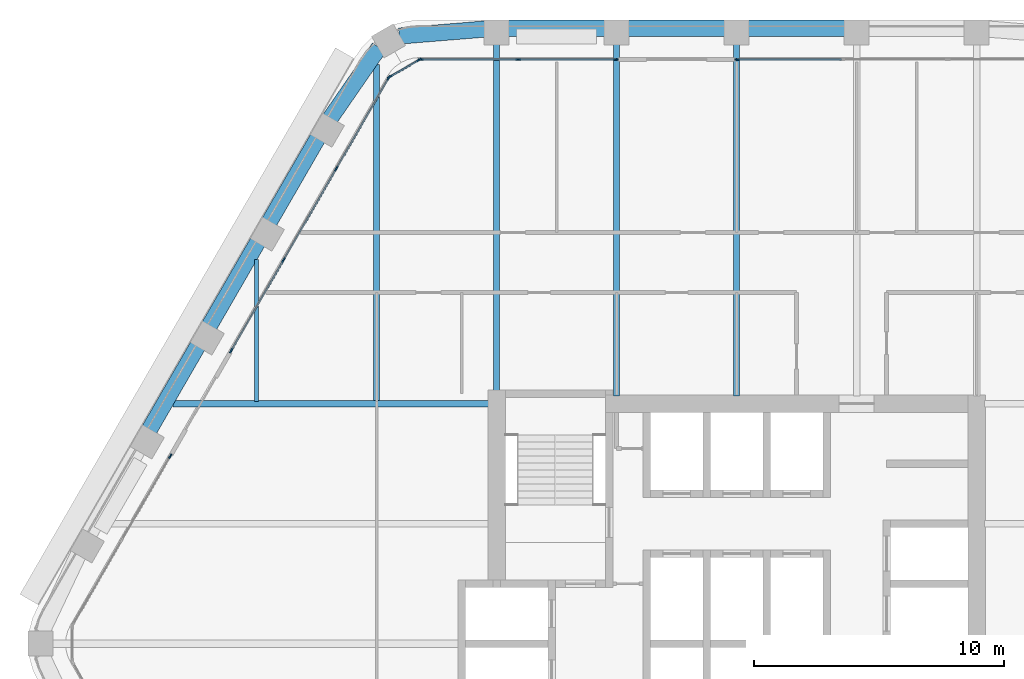
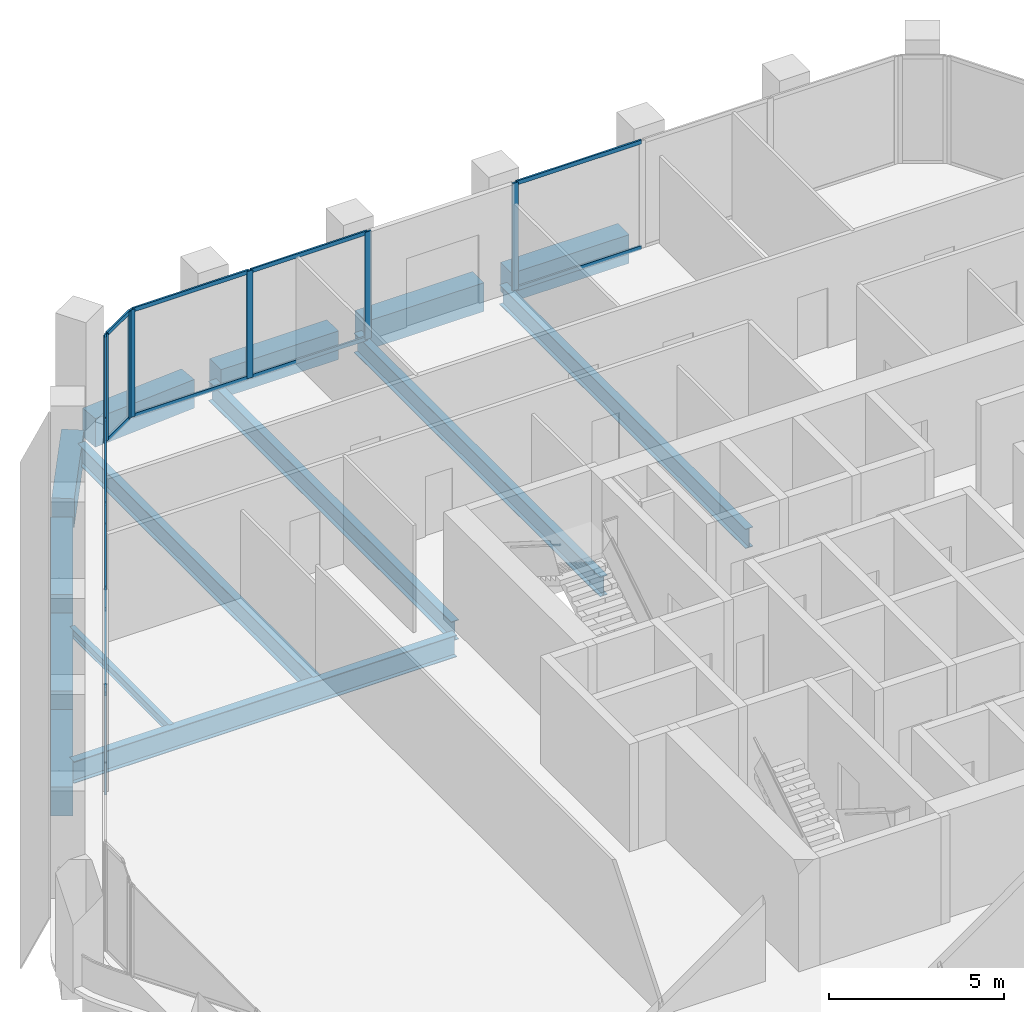
# One storey, part 5 of 15: 25 members, 14 beams, 5 elements without a shape of their own.
"""IFC4 building model written with IfcOpenShell, lengths in metres."""

from ifc_helpers import new_model, si_unit, direction, frame, origin, origin_2d, place, context, subcontext, project, spatial, rectangle, i_section, extrude, material, material_profile, profile_set, type_object, element, aggregate, save


model = new_model("IFC4")

# Units and contexts
model_context = context("Model", 3, precision=1e-05, world=origin(), true_north=direction((0.0, 1.0)))
body_context = subcontext(model_context, "Body", "Model", "MODEL_VIEW")
ifc_project = project(units=[si_unit("LENGTHUNIT", "METRE"), si_unit("AREAUNIT", "SQUARE_METRE"), si_unit("VOLUMEUNIT", "CUBIC_METRE"), si_unit("PLANEANGLEUNIT", "RADIAN"), si_unit("MASSUNIT", "GRAM", prefix="KILO")], contexts=[model_context])

# Site, building, storey
site_placement = place(None, origin())
site = spatial("IfcSite", under=ifc_project, at=site_placement, CompositionType="ELEMENT")
building_placement = place(site_placement, origin())
building = spatial("IfcBuilding", under=site, at=building_placement, Name="Kolab Exchange Tower", CompositionType="ELEMENT")
storey_placement = place(building_placement, frame((0.0, 0.0, 158.300048828125)))
storey = spatial("IfcBuildingStorey", under=building, at=storey_placement, Name="L32", CompositionType="ELEMENT", Elevation=158.300048828125)

# Beams
ifc_material_1 = material(Name="Steel S355", Category="steel")
ifc_material_profile_1 = material_profile(ifc_material_1, i_section(OverallWidth=0.1650390625, OverallDepth=0.31005859375, WebThickness=0.005859375, FlangeThickness=0.009765625, at=origin_2d()), Name="W310X39")
ifc_profile_set_1 = profile_set([ifc_material_profile_1], Name="Steel S355")
beam_type_1 = type_object("IfcBeamType", Name="FLOOR BEAM W310X39", PredefinedType="BEAM", material=ifc_profile_set_1)
beam_1_placement = place(storey_placement, frame((-19.199951171875, 9.693603515625, -0.304931640625), z_axis=(0.0, 1.0, 0.0), x_axis=(-1.0, 0.0, 0.0)))
element("IfcBeam", 1, at=beam_1_placement, inside=storey, type_object=beam_type_1, Name="beam/L32/fr/004", PredefinedType="BEAM", context=body_context, shape_type="SweptSolid", body=[
    extrude(i_section(OverallWidth=0.1650390625, OverallDepth=0.31005859375, WebThickness=0.005859375, FlangeThickness=0.009765625, at=origin_2d()), origin(), (0.0, 0.0, 1.0), 5.674072265625),
])
ifc_material_profile_2 = material_profile(ifc_material_1, i_section(OverallWidth=0.25390625, OverallDepth=0.68408203125, WebThickness=0.012451171875, FlangeThickness=0.018798828125, at=origin_2d()), Name="W690X140")
ifc_profile_set_2 = profile_set([ifc_material_profile_2], Name="Steel S355")
beam_type_2 = type_object("IfcBeamType", Name="FLOOR BEAM W690X140", PredefinedType="BEAM", material=ifc_profile_set_2)
beam_2_placement = place(storey_placement, frame((-14.39990234375, 9.693603515625, -0.491943359375), z_axis=(0.0, 1.0, 0.0), x_axis=(-1.0, 0.0, 0.0)))
element("IfcBeam", 2, at=beam_2_placement, inside=storey, type_object=beam_type_2, Name="beam/L32/fr/006", PredefinedType="BEAM", context=body_context, shape_type="SweptSolid", body=[
    extrude(i_section(OverallWidth=0.25390625, OverallDepth=0.68408203125, WebThickness=0.012451171875, FlangeThickness=0.018798828125, at=origin_2d()), origin(), (0.0, 0.0, 1.0), 13.462158203125),
])
beam_3_placement = place(storey_placement, frame((-9.60009765625, 10.110107421875, -0.491943359375), z_axis=(0.0, 1.0, 0.0), x_axis=(-1.0, 0.0, 0.0)))
element("IfcBeam", 3, at=beam_3_placement, inside=storey, type_object=beam_type_2, Name="beam/L32/fr/008", PredefinedType="BEAM", context=body_context, shape_type="SweptSolid", body=[
    extrude(i_section(OverallWidth=0.25390625, OverallDepth=0.68408203125, WebThickness=0.012451171875, FlangeThickness=0.018798828125, at=origin_2d()), origin(), (0.0, 0.0, 1.0), 13.871337890625),
])
for number, where, z_axis, x_axis, name in (
    (4, (-4.800048828125, 9.909912109375, -0.491943359375), (0.0, 1.0, 0.0), (-1.0, 0.0, 0.0), "beam/L32/fr/010"),
    (5, (0.0, 9.909912109375, -0.491943359375), (0.0, 1.0, 0.0), (-1.0, 0.0, 0.0), "beam/L32/fr/012"),
):
    element("IfcBeam", number, at=place(storey_placement, frame(where, z_axis=z_axis, x_axis=x_axis)), inside=storey, type_object=beam_type_2, Name=name, PredefinedType="BEAM", context=body_context, shape_type="SweptSolid", body=[
        extrude(i_section(OverallWidth=0.25390625, OverallDepth=0.68408203125, WebThickness=0.012451171875, FlangeThickness=0.018798828125, at=origin_2d()), origin(), (0.0, 0.0, 1.0), 14.071533203125),
    ])
ifc_material_profile_3 = material_profile(ifc_material_1, i_section(OverallWidth=0.26708984375, OverallDepth=0.761962890625, WebThickness=0.014404296875, FlangeThickness=0.021484375, at=origin_2d()), Name="W760X173")
ifc_profile_set_3 = profile_set([ifc_material_profile_3], Name="Steel S355")
beam_type_3 = type_object("IfcBeamType", Name="FLOOR GIRDER W760X173", PredefinedType="BEAM", material=ifc_profile_set_3)
beam_4_placement = place(storey_placement, frame((-22.546875, 9.60009765625, -0.531005859375), z_axis=(1.0, 0.0, 0.0), x_axis=(0.0, 1.0, 0.0)))
element("IfcBeam", 6, at=beam_4_placement, inside=storey, type_object=beam_type_3, Name="beam/L32/gd/001", PredefinedType="BEAM", context=body_context, shape_type="SweptSolid", body=[
    extrude(i_section(OverallWidth=0.26708984375, OverallDepth=0.761962890625, WebThickness=0.014404296875, FlangeThickness=0.021484375, at=origin_2d()), origin(), (0.0, 0.0, 1.0), 12.636962890625),
])
ifc_material_2 = material(Name="Concrete C60/75", Category="concrete")
ifc_material_profile_4 = material_profile(ifc_material_2, rectangle(XDim=0.64990234375, YDim=1.0, at=origin_2d()), Name="RC650X1000")
ifc_profile_set_4 = profile_set([ifc_material_profile_4], Name="Concrete C60/75")
beam_type_4 = type_object("IfcBeamType", Name="SPANDREL BEAM 650X1000 C60/75", PredefinedType="BEAM", material=ifc_profile_set_4)
beam_5_placement = place(storey_placement, frame((-13.493896484375, 24.2998046875, -0.650146484375), z_axis=(0.996708497182, 0.081068931445, 0.0), x_axis=(-0.081068931445, 0.996708497182, 0.0)))
element("IfcBeam", 7, at=beam_5_placement, inside=storey, type_object=beam_type_4, Name="beam/L32/sp/F1-01", PredefinedType="BEAM", context=body_context, shape_type="SweptSolid", body=[
    extrude(rectangle(XDim=0.64990234375, YDim=1.0, at=origin_2d()), origin(), (0.0, 0.0, 1.0), 3.445068359375),
])
beam_6_placement = place(storey_placement, frame((-9.139892578125, 24.616455078125, -0.650146484375), z_axis=(1.0, 0.0, 0.0), x_axis=(0.0, 1.0, 0.0)))
element("IfcBeam", 8, at=beam_6_placement, inside=storey, type_object=beam_type_4, Name="beam/L32/sp/F1-02", PredefinedType="BEAM", context=body_context, shape_type="SweptSolid", body=[
    extrude(rectangle(XDim=0.64990234375, YDim=1.0, at=origin_2d()), origin(), (0.0, 0.0, 1.0), 3.8798828125),
])
for number, where, z_axis, x_axis, name in (
    (9, (-4.340087890625, 24.616455078125, -0.650146484375), (1.0, 0.0, 0.0), (0.0, 1.0, 0.0), "beam/L32/sp/F1-03"),
    (10, (0.4599609375, 24.616455078125, -0.650146484375), (1.0, 0.0, 0.0), (0.0, 1.0, 0.0), "beam/L32/sp/F1-04"),
):
    element("IfcBeam", number, at=place(storey_placement, frame(where, z_axis=z_axis, x_axis=x_axis)), inside=storey, type_object=beam_type_4, Name=name, PredefinedType="BEAM", context=body_context, shape_type="SweptSolid", body=[
        extrude(rectangle(XDim=0.64990234375, YDim=1.0, at=origin_2d()), origin(), (0.0, 0.0, 1.0), 3.880126953125),
    ])
beam_7_placement = place(storey_placement, frame((-23.488525390625, 8.5498046875, -0.650146484375), z_axis=(0.499996613652, 0.866027358884, 0.0), x_axis=(-0.866027358884, 0.499996613652, 0.0)))
element("IfcBeam", 11, at=beam_7_placement, inside=storey, type_object=beam_type_4, Name="beam/L32/sp/F6-03", PredefinedType="BEAM", context=body_context, shape_type="SweptSolid", body=[
    extrude(rectangle(XDim=0.64990234375, YDim=1.0, at=origin_2d()), origin(), (0.0, 0.0, 1.0), 3.8798828125),
])
beam_8_placement = place(storey_placement, frame((-21.088623046875, 12.70654296875, -0.650146484375), z_axis=(0.50001655835, 0.866015843605, 0.0), x_axis=(-0.866015843605, 0.50001655835, 0.0)))
element("IfcBeam", 12, at=beam_8_placement, inside=storey, type_object=beam_type_4, Name="beam/L32/sp/F6-04", PredefinedType="BEAM", context=body_context, shape_type="SweptSolid", body=[
    extrude(rectangle(XDim=0.64990234375, YDim=1.0, at=origin_2d()), origin(), (0.0, 0.0, 1.0), 3.880126953125),
])
beam_9_placement = place(storey_placement, frame((-18.6884765625, 16.863525390625, -0.650146484375), z_axis=(0.499996613652, 0.866027358884, 0.0), x_axis=(-0.866027358884, 0.499996613652, 0.0)))
element("IfcBeam", 13, at=beam_9_placement, inside=storey, type_object=beam_type_4, Name="beam/L32/sp/F6-05", PredefinedType="BEAM", context=body_context, shape_type="SweptSolid", body=[
    extrude(rectangle(XDim=0.64990234375, YDim=1.0, at=origin_2d()), origin(), (0.0, 0.0, 1.0), 3.8798828125),
])
beam_10_placement = place(storey_placement, frame((-16.256103515625, 21.001953125, -0.650146484375), z_axis=(0.568572281073, 0.822633309073, 0.0), x_axis=(-0.822633309073, 0.568572281073, 0.0)))
element("IfcBeam", 14, at=beam_10_placement, inside=storey, type_object=beam_type_4, Name="beam/L32/sp/F6-06", PredefinedType="BEAM", context=body_context, shape_type="SweptSolid", body=[
    extrude(rectangle(XDim=0.64990234375, YDim=1.0, at=origin_2d()), origin(), (0.0, 0.0, 1.0), 3.445068359375),
])

# Curtain wall, members
ifc_material_3 = material(Name="Aluminium EN AW-6063 T6", Category="aluminium")
curtain_wall_type = type_object("IfcCurtainWallType", Name="UNITISED UPPER MID ZONE CURTAIN WALL", PredefinedType="NOTDEFINED", material=ifc_material_3)
curtain_wall_1_placement = place(storey_placement, origin())
curtain_wall_1 = element("IfcCurtainWall", 15, at=curtain_wall_1_placement, inside=storey, type_object=curtain_wall_type, Name="cw/L32/F1-1", PredefinedType="NOTDEFINED")
ifc_material_profile_5 = material_profile(ifc_material_3, rectangle(XDim=0.06005859375, YDim=0.199951171875, at=origin_2d()), Name="RECT 60X200")
ifc_profile_set_5 = profile_set([ifc_material_profile_5], Name="Aluminium EN AW-6063 T6")
member_type_1 = type_object("IfcMemberType", Name="UNITISED UPPER MID ZONE MULLION 60 X 200", PredefinedType="MULLION", material=ifc_profile_set_5)
member_1_placement = place(storey_placement, frame((-12.637939453125, 23.361572265625, 0.0), z_axis=(0.0, 0.0, 1.0), x_axis=(0.0, 1.0, 0.0)))
member_1 = element("IfcMember", 16, at=member_1_placement, type_object=member_type_1, Name="CW3 mullion 1", PredefinedType="MULLION", context=body_context, shape_type="SweptSolid", body=[
    extrude(rectangle(XDim=0.06005859375, YDim=0.199951171875, at=origin_2d()), origin(), (0.0, 0.0, 1.0), 3.75),
])
member_2_placement = place(storey_placement, frame((-8.73388671875, 23.361572265625, 0.0), z_axis=(0.0, 0.0, 1.0), x_axis=(0.0, 1.0, 0.0)))
member_2 = element("IfcMember", 17, at=member_2_placement, type_object=member_type_1, Name="CW3 mullion 2", PredefinedType="MULLION", context=body_context, shape_type="SweptSolid", body=[
    extrude(rectangle(XDim=0.06005859375, YDim=0.199951171875, at=origin_2d()), origin(), (0.0, 0.0, 1.0), 3.75),
])
member_3_placement = place(storey_placement, frame((-4.830078125, 23.361572265625, 0.0), z_axis=(0.0, 0.0, 1.0), x_axis=(0.0, 1.0, 0.0)))
member_3 = element("IfcMember", 18, at=member_3_placement, type_object=member_type_1, Name="CW3 mullion 3", PredefinedType="MULLION", context=body_context, shape_type="SweptSolid", body=[
    extrude(rectangle(XDim=0.06005859375, YDim=0.199951171875, at=origin_2d()), origin(), (0.0, 0.0, 1.0), 3.75),
])

# Curtain wall, member
curtain_wall_2_placement = place(storey_placement, origin())
curtain_wall_2 = element("IfcCurtainWall", 19, at=curtain_wall_2_placement, inside=storey, type_object=curtain_wall_type, Name="cw/L32/F1-2", PredefinedType="NOTDEFINED")
member_4_placement = place(storey_placement, frame((0.030029296875, 23.361572265625, 0.0), z_axis=(0.0, 0.0, 1.0), x_axis=(0.0, 1.0, 0.0)))
member_4 = element("IfcMember", 20, at=member_4_placement, type_object=member_type_1, Name="CW3 mullion 1", PredefinedType="MULLION", context=body_context, shape_type="SweptSolid", body=[
    extrude(rectangle(XDim=0.06005859375, YDim=0.199951171875, at=origin_2d()), origin(), (0.0, 0.0, 1.0), 3.75),
])

curtain_wall_3_placement = place(storey_placement, origin())
curtain_wall_3 = element("IfcCurtainWall", 21, at=curtain_wall_3_placement, inside=storey, type_object=curtain_wall_type, Name="cw/L32/F6-1", PredefinedType="NOTDEFINED")
member_5_placement = place(storey_placement, frame((-22.646728515625, 7.497802734375, 0.0), z_axis=(0.0, 0.0, 1.0), x_axis=(-0.866025440524, 0.499999936366, 0.0)))
member_5 = element("IfcMember", 22, at=member_5_placement, type_object=member_type_1, Name="CW3 mullion 3", PredefinedType="MULLION", context=body_context, shape_type="SweptSolid", body=[
    extrude(rectangle(XDim=0.06005859375, YDim=0.199951171875, at=origin_2d()), origin(), (0.0, 0.0, 1.0), 3.75),
])
aggregate(curtain_wall_3, [member_5])

# Curtain wall, members
curtain_wall_4_placement = place(storey_placement, origin())
curtain_wall_4 = element("IfcCurtainWall", 23, at=curtain_wall_4_placement, inside=storey, type_object=curtain_wall_type, Name="cw/L32/F6-2", PredefinedType="NOTDEFINED")
member_6_placement = place(storey_placement, frame((-20.216796875, 11.706787109375, 0.0), z_axis=(0.0, 0.0, 1.0), x_axis=(-0.866025393644, 0.500000017564, 0.0)))
member_6 = element("IfcMember", 24, at=member_6_placement, type_object=member_type_1, Name="CW3 mullion 1", PredefinedType="MULLION", context=body_context, shape_type="SweptSolid", body=[
    extrude(rectangle(XDim=0.06005859375, YDim=0.199951171875, at=origin_2d()), origin(), (0.0, 0.0, 1.0), 3.75),
])
member_7_placement = place(storey_placement, frame((-18.120361328125, 15.337646484375, 0.0), z_axis=(0.0, 0.0, 1.0), x_axis=(-0.866025393644, 0.500000017564, 0.0)))
member_7 = element("IfcMember", 25, at=member_7_placement, type_object=member_type_1, Name="CW3 mullion 2", PredefinedType="MULLION", context=body_context, shape_type="SweptSolid", body=[
    extrude(rectangle(XDim=0.06005859375, YDim=0.199951171875, at=origin_2d()), origin(), (0.0, 0.0, 1.0), 3.75),
])
member_8_placement = place(storey_placement, frame((-16.009033203125, 18.99462890625, 0.0), z_axis=(0.0, 0.0, 1.0), x_axis=(-0.866025393644, 0.500000017564, 0.0)))
member_8 = element("IfcMember", 26, at=member_8_placement, type_object=member_type_1, Name="CW3 mullion 3", PredefinedType="MULLION", context=body_context, shape_type="SweptSolid", body=[
    extrude(rectangle(XDim=0.06005859375, YDim=0.199951171875, at=origin_2d()), origin(), (0.0, 0.0, 1.0), 3.75),
])
member_9_placement = place(storey_placement, frame((-13.91259765625, 22.62548828125, 0.0), z_axis=(0.0, 0.0, 1.0), x_axis=(-0.866025393644, 0.500000017564, 0.0)))
member_9 = element("IfcMember", 27, at=member_9_placement, type_object=member_type_1, Name="CW3 mullion 4", PredefinedType="MULLION", context=body_context, shape_type="SweptSolid", body=[
    extrude(rectangle(XDim=0.06005859375, YDim=0.199951171875, at=origin_2d()), origin(), (0.0, 0.0, 1.0), 3.75),
])

curtain_wall_5_placement = place(storey_placement, origin())
curtain_wall_5 = element("IfcCurtainWall", 28, at=curtain_wall_5_placement, inside=storey, type_object=curtain_wall_type, Name="cw/L32/F6F1-corner", PredefinedType="NOTDEFINED")
member_10_placement = place(storey_placement, frame((-13.871826171875, 22.66650390625, 0.0), z_axis=(0.0, 0.0, 1.0), x_axis=(-0.50000002237, 0.866025390869, 0.0)))
member_10 = element("IfcMember", 29, at=member_10_placement, type_object=member_type_1, Name="CW3 mullion 1", PredefinedType="MULLION", context=body_context, shape_type="SweptSolid", body=[
    extrude(rectangle(XDim=0.06005859375, YDim=0.199951171875, at=origin_2d()), origin(), (0.0, 0.0, 1.0), 3.75),
])
member_11_placement = place(storey_placement, frame((-12.69384765625, 23.346435546875, 0.0), z_axis=(0.0, 0.0, 1.0), x_axis=(-0.50000002237, 0.866025390869, 0.0)))
member_11 = element("IfcMember", 30, at=member_11_placement, type_object=member_type_1, Name="CW3 mullion 2", PredefinedType="MULLION", context=body_context, shape_type="SweptSolid", body=[
    extrude(rectangle(XDim=0.06005859375, YDim=0.199951171875, at=origin_2d()), origin(), (0.0, 0.0, 1.0), 3.75),
])

# Member
ifc_material_profile_6 = material_profile(ifc_material_3, rectangle(XDim=0.06005859375, YDim=0.139892578125, at=origin_2d()), Name="RECT 60X140")
ifc_profile_set_6 = profile_set([ifc_material_profile_6], Name="Aluminium EN AW-6063 T6")
member_type_2 = type_object("IfcMemberType", Name="UNITISED UPPER MID ZONE TRANSOM 60 X 140", PredefinedType="USERDEFINED", material=ifc_profile_set_6)
member_12_placement = place(storey_placement, frame((-12.60791015625, 23.361572265625, 0.030029296875), z_axis=(1.0, 0.0, 0.0), x_axis=(0.0, 1.0, 0.0)))
member_12 = element("IfcMember", 31, at=member_12_placement, type_object=member_type_2, Name="CW3 transom 1.1", ObjectType="TRANSOM", PredefinedType="USERDEFINED", context=body_context, shape_type="SweptSolid", body=[
    extrude(rectangle(XDim=0.06005859375, YDim=0.139892578125, at=origin_2d()), origin(), (0.0, 0.0, 1.0), 3.843994140625),
])

member_13_placement = place(storey_placement, frame((-12.60791015625, 23.361572265625, 3.719970703125), z_axis=(1.0, 0.0, 0.0), x_axis=(0.0, 1.0, 0.0)))
member_13 = element("IfcMember", 32, at=member_13_placement, type_object=member_type_2, Name="CW3 transom 1.2", ObjectType="TRANSOM", PredefinedType="USERDEFINED", context=body_context, shape_type="SweptSolid", body=[
    extrude(rectangle(XDim=0.06005859375, YDim=0.139892578125, at=origin_2d()), origin(), (0.0, 0.0, 1.0), 3.843994140625),
])

member_14_placement = place(storey_placement, frame((-8.703857421875, 23.361572265625, 0.030029296875), z_axis=(1.0, 0.0, 0.0), x_axis=(0.0, 1.0, 0.0)))
member_14 = element("IfcMember", 33, at=member_14_placement, type_object=member_type_2, Name="CW3 transom 2.1", ObjectType="TRANSOM", PredefinedType="USERDEFINED", context=body_context, shape_type="SweptSolid", body=[
    extrude(rectangle(XDim=0.06005859375, YDim=0.139892578125, at=origin_2d()), origin(), (0.0, 0.0, 1.0), 3.84375),
])

member_15_placement = place(storey_placement, frame((-8.703857421875, 23.361572265625, 3.719970703125), z_axis=(1.0, 0.0, 0.0), x_axis=(0.0, 1.0, 0.0)))
member_15 = element("IfcMember", 34, at=member_15_placement, type_object=member_type_2, Name="CW3 transom 2.2", ObjectType="TRANSOM", PredefinedType="USERDEFINED", context=body_context, shape_type="SweptSolid", body=[
    extrude(rectangle(XDim=0.06005859375, YDim=0.139892578125, at=origin_2d()), origin(), (0.0, 0.0, 1.0), 3.84375),
])

aggregate(curtain_wall_1, [member_1, member_2, member_3, member_12, member_13, member_14, member_15])

member_16_placement = place(storey_placement, frame((0.06005859375, 23.361572265625, 0.030029296875), z_axis=(1.0, 0.0, 0.0), x_axis=(0.0, 1.0, 0.0)))
member_16 = element("IfcMember", 35, at=member_16_placement, type_object=member_type_2, Name="CW3 transom 1.1", ObjectType="TRANSOM", PredefinedType="USERDEFINED", context=body_context, shape_type="SweptSolid", body=[
    extrude(rectangle(XDim=0.06005859375, YDim=0.139892578125, at=origin_2d()), origin(), (0.0, 0.0, 1.0), 4.132568359375),
])

member_17_placement = place(storey_placement, frame((0.06005859375, 23.361572265625, 3.719970703125), z_axis=(1.0, 0.0, 0.0), x_axis=(0.0, 1.0, 0.0)))
member_17 = element("IfcMember", 36, at=member_17_placement, type_object=member_type_2, Name="CW3 transom 1.2", ObjectType="TRANSOM", PredefinedType="USERDEFINED", context=body_context, shape_type="SweptSolid", body=[
    extrude(rectangle(XDim=0.06005859375, YDim=0.139892578125, at=origin_2d()), origin(), (0.0, 0.0, 1.0), 4.132568359375),
])

aggregate(curtain_wall_2, [member_4, member_16, member_17])

member_18_placement = place(storey_placement, frame((-20.20166015625, 11.732666015625, 0.030029296875), z_axis=(0.500001996123, 0.866024251319, 0.0), x_axis=(-0.866024251319, 0.500001996123, 0.0)))
member_18 = element("IfcMember", 37, at=member_18_placement, type_object=member_type_2, Name="CW3 transom 1.1", ObjectType="TRANSOM", PredefinedType="USERDEFINED", context=body_context, shape_type="SweptSolid", body=[
    extrude(rectangle(XDim=0.06005859375, YDim=0.139892578125, at=origin_2d()), origin(), (0.0, 0.0, 1.0), 4.1328125),
])

member_19_placement = place(storey_placement, frame((-20.20166015625, 11.732666015625, 3.719970703125), z_axis=(0.500001996123, 0.866024251319, 0.0), x_axis=(-0.866024251319, 0.500001996123, 0.0)))
member_19 = element("IfcMember", 38, at=member_19_placement, type_object=member_type_2, Name="CW3 transom 1.2", ObjectType="TRANSOM", PredefinedType="USERDEFINED", context=body_context, shape_type="SweptSolid", body=[
    extrude(rectangle(XDim=0.06005859375, YDim=0.139892578125, at=origin_2d()), origin(), (0.0, 0.0, 1.0), 4.1328125),
])

member_20_placement = place(storey_placement, frame((-18.10546875, 15.36376953125, 0.030029296875), z_axis=(0.500037208726, 0.86600392025, 0.0), x_axis=(-0.86600392025, 0.500037208726, 0.0)))
member_20 = element("IfcMember", 39, at=member_20_placement, type_object=member_type_2, Name="CW3 transom 2.1", ObjectType="TRANSOM", PredefinedType="USERDEFINED", context=body_context, shape_type="SweptSolid", body=[
    extrude(rectangle(XDim=0.06005859375, YDim=0.139892578125, at=origin_2d()), origin(), (0.0, 0.0, 1.0), 4.162841796875),
])

member_21_placement = place(storey_placement, frame((-18.10546875, 15.36376953125, 3.719970703125), z_axis=(0.500037208726, 0.86600392025, 0.0), x_axis=(-0.86600392025, 0.500037208726, 0.0)))
member_21 = element("IfcMember", 40, at=member_21_placement, type_object=member_type_2, Name="CW3 transom 2.2", ObjectType="TRANSOM", PredefinedType="USERDEFINED", context=body_context, shape_type="SweptSolid", body=[
    extrude(rectangle(XDim=0.06005859375, YDim=0.139892578125, at=origin_2d()), origin(), (0.0, 0.0, 1.0), 4.162841796875),
])

member_22_placement = place(storey_placement, frame((-15.994140625, 19.0205078125, 0.030029296875), z_axis=(0.500001996123, 0.866024251319, 0.0), x_axis=(-0.866024251319, 0.500001996123, 0.0)))
member_22 = element("IfcMember", 41, at=member_22_placement, type_object=member_type_2, Name="CW3 transom 3.1", ObjectType="TRANSOM", PredefinedType="USERDEFINED", context=body_context, shape_type="SweptSolid", body=[
    extrude(rectangle(XDim=0.06005859375, YDim=0.139892578125, at=origin_2d()), origin(), (0.0, 0.0, 1.0), 4.1328125),
])

member_23_placement = place(storey_placement, frame((-15.994140625, 19.0205078125, 3.719970703125), z_axis=(0.500001996123, 0.866024251319, 0.0), x_axis=(-0.866024251319, 0.500001996123, 0.0)))
member_23 = element("IfcMember", 42, at=member_23_placement, type_object=member_type_2, Name="CW3 transom 3.2", ObjectType="TRANSOM", PredefinedType="USERDEFINED", context=body_context, shape_type="SweptSolid", body=[
    extrude(rectangle(XDim=0.06005859375, YDim=0.139892578125, at=origin_2d()), origin(), (0.0, 0.0, 1.0), 4.1328125),
])

aggregate(curtain_wall_4, [member_6, member_7, member_8, member_9, member_18, member_19, member_20, member_21, member_22, member_23])

member_24_placement = place(storey_placement, frame((-13.845703125, 22.681640625, 0.030029296875), z_axis=(0.86603858612, 0.49997716683, 0.0), x_axis=(-0.49997716683, 0.86603858612, 0.0)))
member_24 = element("IfcMember", 43, at=member_24_placement, type_object=member_type_2, Name="CW3 transom 1.1", ObjectType="TRANSOM", PredefinedType="USERDEFINED", context=body_context, shape_type="SweptSolid", body=[
    extrude(rectangle(XDim=0.06005859375, YDim=0.139892578125, at=origin_2d()), origin(), (0.0, 0.0, 1.0), 1.2998046875),
])

member_25_placement = place(storey_placement, frame((-13.845703125, 22.681640625, 3.719970703125), z_axis=(0.86603858612, 0.49997716683, 0.0), x_axis=(-0.49997716683, 0.86603858612, 0.0)))
member_25 = element("IfcMember", 44, at=member_25_placement, type_object=member_type_2, Name="CW3 transom 1.2", ObjectType="TRANSOM", PredefinedType="USERDEFINED", context=body_context, shape_type="SweptSolid", body=[
    extrude(rectangle(XDim=0.06005859375, YDim=0.139892578125, at=origin_2d()), origin(), (0.0, 0.0, 1.0), 1.2998046875),
])

aggregate(curtain_wall_5, [member_10, member_11, member_24, member_25])

save(model, "model.ifc")
